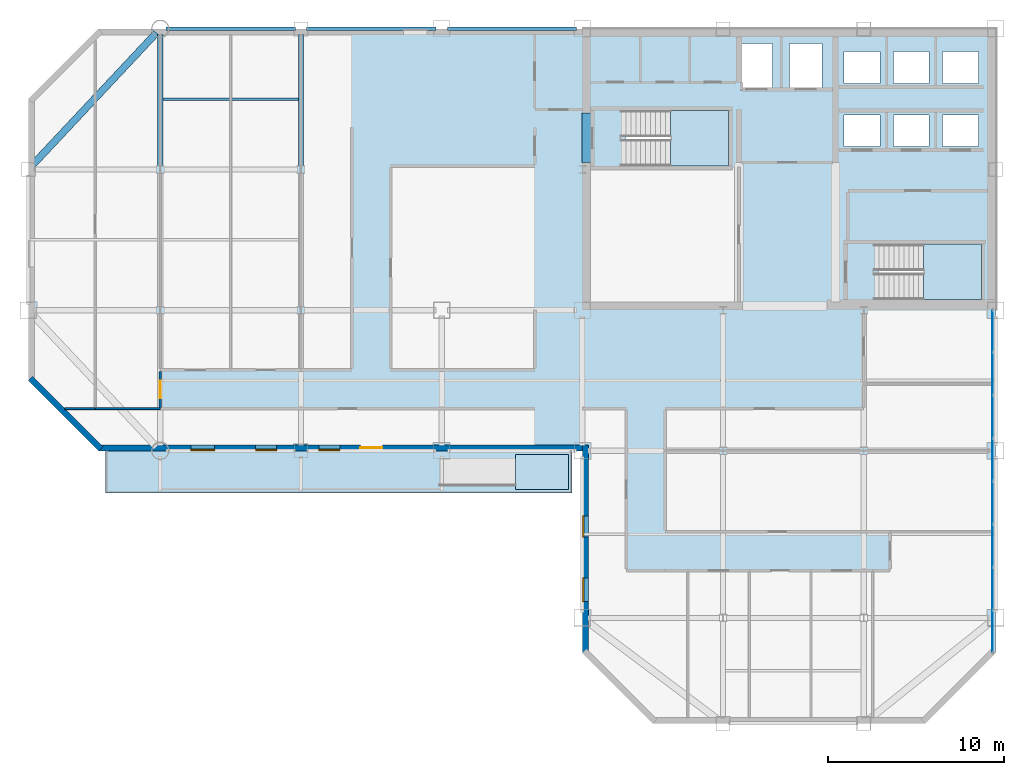
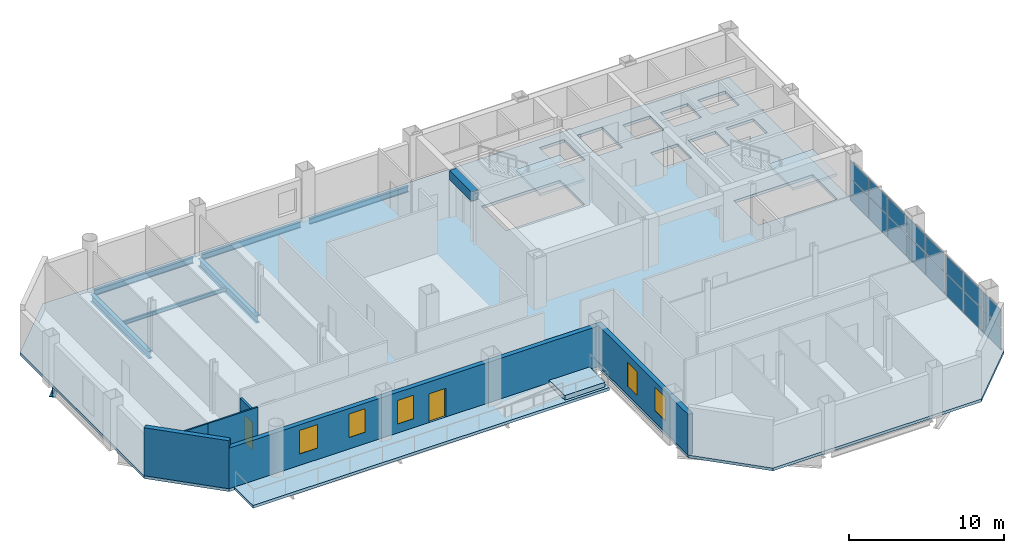
# One storey, part 7 of 12: 16 plates, 8 beams, 6 walls, 5 slabs, 5 windows, 2 doors, 7 openings, 4 elements without a shape of their own.
"""IFC4 building model written with IfcOpenShell, lengths in metres."""

import ifcopenshell
import ifcopenshell.guid

model = None  # the IFC model being written
_history = None  # IfcOwnerHistory: only IFC2X3 demands one
_inside = {}  # id of a spatial element -> (the spatial element, [elements in it])
_under = {}  # id of a project, library or spatial element -> (it, [spatial elements below it])
_declared = {}  # id of a project -> (the project, [libraries it declares])
_typed = {}  # id of a type object -> (the type object, [elements of that type])
_made_of = {}  # id of a material, layer set ... -> (it, [elements and type objects made of it])


def new_model(schema):
    """Start an empty IFC model of exactly this schema.

    Asked for "IFC4X3", IfcOpenShell would pick the latest addendum, in which some entities
    have other attributes; the version numbers below select the first issue.
    IFC2X3 requires an IfcOwnerHistory on every rooted entity: one is made here for all.
    """
    global model, _history
    if schema == "IFC4X3":
        model = ifcopenshell.file(schema_version=(4, 3, 0, 0))
    else:
        model = ifcopenshell.file(schema=schema)
    _inside.clear()
    _under.clear()
    _declared.clear()
    _typed.clear()
    _made_of.clear()
    _history = None
    if model.schema == "IFC2X3":
        org = make("IfcOrganization", Name="unknown")
        user = make(
            "IfcPersonAndOrganization",
            ThePerson=make("IfcPerson", FamilyName="unknown"),
            TheOrganization=org,
        )
        app = make(
            "IfcApplication",
            ApplicationDeveloper=org,
            Version="unknown",
            ApplicationFullName="unknown",
            ApplicationIdentifier="unknown",
        )
        _history = make(
            "IfcOwnerHistory",
            OwningUser=user,
            OwningApplication=app,
            ChangeAction="ADDED",
            CreationDate=0,
        )
    return model


def make(cls, **values):
    """One entity of the class cls with the attributes given. An attribute that is None is left unset."""
    return model.create_entity(
        cls, **{name: value for name, value in values.items() if value is not None}
    )


def rooted(cls, **values):
    """An entity with a GlobalId (a new one), such as an element, a storey or a relation."""
    return make(cls, GlobalId=ifcopenshell.guid.new(), OwnerHistory=_history, **values)


def si_unit(unit_type, name, prefix=None):
    """IfcSIUnit, for example si_unit("LENGTHUNIT", "METRE", prefix="MILLI")."""
    return make("IfcSIUnit", UnitType=unit_type, Prefix=prefix, Name=name)


def assignment(units):
    """IfcUnitAssignment: the units of a project."""
    return None if units is None else make("IfcUnitAssignment", Units=units)


def point(xyz):
    """IfcCartesianPoint."""
    return None if xyz is None else make("IfcCartesianPoint", Coordinates=xyz)


def direction(xyz):
    """IfcDirection."""
    return None if xyz is None else make("IfcDirection", DirectionRatios=xyz)


def frame(location, z_axis=None, x_axis=None):
    """IfcAxis2Placement3D, a coordinate frame: its origin and axes. An axis left out is left unset."""
    return make(
        "IfcAxis2Placement3D",
        Location=point(location),
        Axis=direction(z_axis),
        RefDirection=direction(x_axis),
    )


def frame_2d(location, x_axis=None):
    """IfcAxis2Placement2D, a coordinate frame in the plane: its origin and x axis."""
    return make(
        "IfcAxis2Placement2D", Location=point(location), RefDirection=direction(x_axis)
    )


def origin():
    """The frame at (0, 0, 0) with its axes left unset."""
    return frame((0.0, 0.0, 0.0))


def origin_2d():
    """The frame at (0, 0) in the plane with its x axis left unset."""
    return frame_2d((0.0, 0.0))


def place(relative_to, where):
    """IfcLocalPlacement: puts the frame where relative to a parent placement (None: the world)."""
    return make(
        "IfcLocalPlacement", PlacementRelTo=relative_to, RelativePlacement=where
    )


def context(
    kind, dimensions, precision=None, world=None, true_north=None, identifier=None
):
    """IfcGeometricRepresentationContext, for example the 3D "Model" context."""
    return make(
        "IfcGeometricRepresentationContext",
        ContextIdentifier=identifier,
        ContextType=kind,
        CoordinateSpaceDimension=dimensions,
        Precision=precision,
        WorldCoordinateSystem=world,
        TrueNorth=true_north,
    )


def subcontext(parent, identifier, kind, view, scale=None):
    """IfcGeometricRepresentationSubContext, for example "Body" below "Model"."""
    return make(
        "IfcGeometricRepresentationSubContext",
        ContextIdentifier=identifier,
        ContextType=kind,
        ParentContext=parent,
        TargetScale=scale,
        TargetView=view,
    )


def project(units=None, contexts=None):
    """IfcProject with its units and contexts."""
    return rooted(
        "IfcProject",
        Name="project",
        RepresentationContexts=contexts,
        UnitsInContext=assignment(units),
    )


def spatial(cls, under=None, at=None, **own):
    """A site, building, storey or space (cls), placed at a placement, below another one or the project."""
    s = rooted(cls, ObjectPlacement=at, **own)
    if under is not None:
        _under.setdefault(under.id(), (under, []))[1].append(s)
    return s


def polyline(points):
    """IfcPolyline through the points."""
    return make("IfcPolyline", Points=[point(p) for p in points])


def profile(cls, at=None, kind="AREA", **sizes):
    """A parametric profile (cls). Its sizes go by their IFC names, for example OverallWidth=200.0."""
    return make(cls, ProfileType=kind, Position=at, **sizes)


def rectangle(**sizes):
    """IfcRectangleProfileDef."""
    return profile("IfcRectangleProfileDef", **sizes)


def i_section(**sizes):
    """IfcIShapeProfileDef."""
    return profile("IfcIShapeProfileDef", **sizes)


def outline(outer, holes=None, kind="AREA"):
    """IfcArbitraryClosedProfileDef: a profile drawn as a closed curve; with holes, ...WithVoids."""
    if holes is None:
        return make("IfcArbitraryClosedProfileDef", ProfileType=kind, OuterCurve=outer)
    return make(
        "IfcArbitraryProfileDefWithVoids",
        ProfileType=kind,
        OuterCurve=outer,
        InnerCurves=holes,
    )


def extrude(swept, where, along, depth):
    """IfcExtrudedAreaSolid: the profile swept, set in the frame where, extruded along a direction by depth."""
    return make(
        "IfcExtrudedAreaSolid",
        SweptArea=swept,
        Position=where,
        ExtrudedDirection=direction(along),
        Depth=depth,
    )


def shape(context_of_items, identifier, shape_type, items):
    """IfcShapeRepresentation: the items that make up one representation, for example the "Body"."""
    return make(
        "IfcShapeRepresentation",
        ContextOfItems=context_of_items,
        RepresentationIdentifier=identifier,
        RepresentationType=shape_type,
        Items=items,
    )


def material(Name=None, Category=None):
    """IfcMaterial."""
    return make("IfcMaterial", Name=Name, Category=Category)


def layer(
    of_material, thickness, ventilated=None, Name=None, Category=None, Priority=None
):
    """IfcMaterialLayer: one layer of a wall or slab, of a material (None: an air gap)."""
    return make(
        "IfcMaterialLayer",
        Material=of_material,
        LayerThickness=thickness,
        IsVentilated=ventilated,
        Name=Name,
        Category=Category,
        Priority=Priority,
    )


def layer_set(layers, Name=None):
    """IfcMaterialLayerSet."""
    return make("IfcMaterialLayerSet", MaterialLayers=layers, LayerSetName=Name)


def material_profile(
    of_material, cross_section, Name=None, Category=None, Priority=None
):
    """IfcMaterialProfile: a cross section and its material."""
    return make(
        "IfcMaterialProfile",
        Name=Name,
        Material=of_material,
        Profile=cross_section,
        Priority=Priority,
        Category=Category,
    )


def profile_set(profiles, Name=None, composite=None):
    """IfcMaterialProfileSet."""
    return make(
        "IfcMaterialProfileSet",
        Name=Name,
        MaterialProfiles=profiles,
        CompositeProfile=composite,
    )


def made_of(thing, what):
    """Note that an element or type object is made of a material, layer set ...; save() writes the relation."""
    if what is not None:
        _made_of.setdefault(what.id(), (what, []))[1].append(thing)
    return thing


def type_object(cls, material=None, **own):
    """A type object (cls), such as IfcWallType, which elements share."""
    return made_of(rooted(cls, **own), material)


def element(
    cls,
    number,
    at=None,
    inside=None,
    cuts=None,
    type_object=None,
    material=None,
    context=None,
    identifier="Body",
    shape_type=None,
    held_by="IfcProductDefinitionShape",
    body=None,
    shapes=None,
    **own,
):
    """One element of the class cls, such as IfcWall. Its Tag is "e" and its number.

    at: its placement. inside: the storey or other place that contains it. cuts: it is an
    opening in that element (IfcRelVoidsElement). A single representation is given by context,
    identifier, shape_type and body (its items); several are given by shapes. held_by: the class
    of the entity that holds the representations. save() writes the other relations.
    """
    e = rooted(cls, Tag="e%d" % number, ObjectPlacement=at, **own)
    if body is not None:
        shapes = [shape(context, identifier, shape_type, body)]
    if shapes is not None:
        e.Representation = make(held_by, Representations=shapes)
    if inside is not None:
        _inside.setdefault(inside.id(), (inside, []))[1].append(e)
    if cuts is not None:
        rooted(
            "IfcRelVoidsElement", RelatingBuildingElement=cuts, RelatedOpeningElement=e
        )
    if type_object is not None:
        _typed.setdefault(type_object.id(), (type_object, []))[1].append(e)
    return made_of(e, material)


def fill(opening, filler):
    """IfcRelFillsElement: the door or window that sits in an opening."""
    return rooted(
        "IfcRelFillsElement",
        RelatingOpeningElement=opening,
        RelatedBuildingElement=filler,
    )


def aggregate(whole, parts):
    """IfcRelAggregates: a whole, such as a stair, and the parts it consists of."""
    return rooted("IfcRelAggregates", RelatingObject=whole, RelatedObjects=parts)


def save(model, path):
    """Write the relations noted so far, then the file.

    IfcRelAggregates (storeys below a building ...), IfcRelContainedInSpatialStructure (elements
    in a storey), IfcRelDefinesByType, IfcRelAssociatesMaterial and IfcRelDeclares: one each for
    every whole, place, type object, material and project.
    """
    for whole, parts in _under.values():
        aggregate(whole, parts)
    for where, things in _inside.values():
        rooted(
            "IfcRelContainedInSpatialStructure",
            RelatedElements=things,
            RelatingStructure=where,
        )
    for kind, things in _typed.values():
        rooted("IfcRelDefinesByType", RelatedObjects=things, RelatingType=kind)
    for what, things in _made_of.values():
        rooted("IfcRelAssociatesMaterial", RelatedObjects=things, RelatingMaterial=what)
    for by, libraries in _declared.values():
        rooted("IfcRelDeclares", RelatingContext=by, RelatedDefinitions=libraries)
    model.write(path)


model = new_model("IFC4")

# Units and contexts
model_context = context("Model", 3, precision=1e-05, world=origin(), true_north=direction((0.0, 1.0)))
body_context = subcontext(model_context, "Body", "Model", "MODEL_VIEW")
ifc_project = project(units=[si_unit("LENGTHUNIT", "METRE"), si_unit("AREAUNIT", "SQUARE_METRE"), si_unit("VOLUMEUNIT", "CUBIC_METRE"), si_unit("PLANEANGLEUNIT", "RADIAN"), si_unit("MASSUNIT", "GRAM", prefix="KILO")], contexts=[model_context])

# Site, building, storey
site_placement = place(None, origin())
site = spatial("IfcSite", under=ifc_project, at=site_placement, CompositionType="ELEMENT")
building_placement = place(site_placement, origin())
building = spatial("IfcBuilding", under=site, at=building_placement, Name="Qianrong Seaharbour Tower", CompositionType="ELEMENT")
storey_placement = place(building_placement, frame((0.0, 0.0, 205.800048828125)))
storey = spatial("IfcBuildingStorey", under=building, at=storey_placement, Name="L49", CompositionType="ELEMENT", Elevation=205.800048828125)

# Beams
ifc_material_1 = material(Name="Structural steel SN490B", Category="steel")
ifc_material_profile_1 = material_profile(ifc_material_1, i_section(OverallWidth=0.300048828125, OverallDepth=0.587890625, WebThickness=0.011962890625, FlangeThickness=0.02001953125, FilletRadius=0.02392578125, at=origin_2d()), Name="H588x300x12x20")
ifc_profile_set_1 = profile_set([ifc_material_profile_1], Name="Structural steel SN490B")
beam_type_1 = type_object("IfcBeamType", Name="BM-G-588", PredefinedType="BEAM", material=ifc_profile_set_1)
for number, where, z_axis, x_axis, name in (
    (1, (16.5, 44.199951171875, -0.51904296875), (0.0, 1.0, 0.0), (-1.0, 0.0, 0.0), "L49 Primary Girder G3 GG-GH"),
    (2, (24.5, 44.199951171875, -0.51904296875), (0.0, 1.0, 0.0), (-1.0, 0.0, 0.0), "L49 Primary Girder G4 GG-GH"),
):
    element("IfcBeam", number, at=place(storey_placement, frame(where, z_axis=z_axis, x_axis=x_axis)), inside=storey, type_object=beam_type_1, Name=name, PredefinedType="BEAM", context=body_context, shape_type="SweptSolid", body=[
        extrude(i_section(OverallWidth=0.300048828125, OverallDepth=0.587890625, WebThickness=0.011962890625, FlangeThickness=0.02001953125, FilletRadius=0.02392578125, at=origin_2d()), origin(), (0.0, 0.0, 1.0), 7.47998046875),
    ])
ifc_material_2 = material(Name="Structural steel SN400B", Category="steel")
ifc_material_profile_2 = material_profile(ifc_material_2, i_section(OverallWidth=0.14990234375, OverallDepth=0.300048828125, WebThickness=0.006591796875, FlangeThickness=0.009033203125, FilletRadius=0.012939453125, at=origin_2d()), Name="H300x150x6.5x9")
ifc_profile_set_2 = profile_set([ifc_material_profile_2], Name="Structural steel SN400B")
beam_type_2 = type_object("IfcBeamType", Name="BM-J-300", PredefinedType="JOIST", material=ifc_profile_set_2)
beam_1_placement = place(storey_placement, frame((16.64990234375, 48.0, -0.375), z_axis=(1.0, 0.0, 0.0), x_axis=(0.0, 1.0, 0.0)))
element("IfcBeam", 3, at=beam_1_placement, inside=storey, type_object=beam_type_2, Name="L49 Composite Floor Joist G3-G4/GG-GH", PredefinedType="JOIST", context=body_context, shape_type="SweptSolid", body=[
    extrude(i_section(OverallWidth=0.14990234375, OverallDepth=0.300048828125, WebThickness=0.006591796875, FlangeThickness=0.009033203125, FilletRadius=0.012939453125, at=origin_2d()), origin(), (0.0, 0.0, 1.0), 7.7001953125),
])
ifc_material_3 = material(Name="Concrete C60/75", Category="concrete")
ifc_material_profile_3 = material_profile(ifc_material_3, rectangle(XDim=0.5, YDim=0.75, at=origin_2d()), Name="RC500x750")
ifc_profile_set_3 = profile_set([ifc_material_profile_3], Name="Concrete C60/75")
beam_type_3 = type_object("IfcBeamType", Name="BM-LINTEL-750", PredefinedType="LINTEL", material=ifc_profile_set_3)
beam_2_placement = place(storey_placement, frame((40.72998046875, 44.39990234375, 3.39990234375), z_axis=(0.0, 1.0, 0.0), x_axis=(-1.0, 0.0, 0.0)))
element("IfcBeam", 4, at=beam_2_placement, inside=storey, type_object=beam_type_3, Name="L49 Core Coupling Lintel Beam West", PredefinedType="LINTEL", context=body_context, shape_type="SweptSolid", body=[
    extrude(rectangle(XDim=0.5, YDim=0.75, at=origin_2d()), origin(), (0.0, 0.0, 1.0), 2.800048828125),
])
ifc_material_profile_4 = material_profile(ifc_material_2, i_section(OverallWidth=0.199951171875, OverallDepth=0.449951171875, WebThickness=0.009033203125, FlangeThickness=0.013916015625, FilletRadius=0.01806640625, at=origin_2d()), Name="H450x200x9x14")
ifc_profile_set_4 = profile_set([ifc_material_profile_4], Name="Structural steel SN400B")
beam_type_4 = type_object("IfcBeamType", Name="BM-SP-450", PredefinedType="SPANDREL", material=ifc_profile_set_4)
for number, where, z_axis, x_axis, name in (
    (5, (16.820068359375, 52.0, -0.449951171875), (1.0, 0.0, 0.0), (0.0, 1.0, 0.0), "L49 Spandrel Girder GH G3-G4"),
    (6, (24.820068359375, 52.0, -0.449951171875), (1.0, 0.0, 0.0), (0.0, 1.0, 0.0), "L49 Spandrel Girder GH G4-G5"),
    (7, (32.820068359375, 52.0, -0.449951171875), (1.0, 0.0, 0.0), (0.0, 1.0, 0.0), "L49 Spandrel Girder GH G5-G6"),
):
    element("IfcBeam", number, at=place(storey_placement, frame(where, z_axis=z_axis, x_axis=x_axis)), inside=storey, type_object=beam_type_4, Name=name, PredefinedType="SPANDREL", context=body_context, shape_type="SweptSolid", body=[
        extrude(i_section(OverallWidth=0.199951171875, OverallDepth=0.449951171875, WebThickness=0.009033203125, FlangeThickness=0.013916015625, FilletRadius=0.01806640625, at=origin_2d()), origin(), (0.0, 0.0, 1.0), 7.35986328125),
    ])
ifc_material_profile_5 = material_profile(ifc_material_1, i_section(OverallWidth=0.39990234375, OverallDepth=1.10009765625, WebThickness=0.02001953125, FlangeThickness=0.035888671875, at=origin_2d()), Name="BH1100x400x20x36")
ifc_profile_set_5 = profile_set([ifc_material_profile_5], Name="Structural steel SN490B")
beam_type_5 = type_object("IfcBeamType", Name="BM-TG-1100", PredefinedType="BEAM", material=ifc_profile_set_5)
beam_3_placement = place(storey_placement, frame((16.28125, 51.7666015625, -0.775146484375), z_axis=(-0.683947420573, -0.729531305628, 0.0), x_axis=(0.729531305628, -0.683947420573, 0.0)))
element("IfcBeam", 8, at=beam_3_placement, inside=storey, type_object=beam_type_5, Name="L49 Chamfer Corner Spandrel Girder G2/GH", PredefinedType="BEAM", context=body_context, shape_type="SweptSolid", body=[
    extrude(i_section(OverallWidth=0.39990234375, OverallDepth=1.10009765625, WebThickness=0.02001953125, FlangeThickness=0.035888671875, at=origin_2d()), origin(), (0.0, 0.0, 1.0), 10.326171875),
])

# Curtain wall, plates
ifc_material_4 = material(Name="Anodised aluminium 6063-T6 and laminated low-e glass", Category="aluminium")
ifc_layer_1 = layer(ifc_material_4, 0.195068359375)
ifc_layer_set_1 = layer_set([ifc_layer_1], Name="Anodised aluminium 6063-T6 and laminated low-e glass")
curtain_wall_type = type_object("IfcCurtainWallType", Name="CW-SYS-3", PredefinedType="NOTDEFINED", material=ifc_layer_set_1)
curtain_wall_placement = place(storey_placement, origin())
curtain_wall = element("IfcCurtainWall", 9, at=curtain_wall_placement, inside=storey, type_object=curtain_wall_type, Name="L49 Sky-Garden Wintergarden Curtain Wall EAST_WING", PredefinedType="NOTDEFINED")
ifc_material_5 = material(Name="Laminated solar-control low-e glass", Category="glass")
ifc_layer_2 = layer(ifc_material_5, 0.031982421875)
ifc_layer_set_2 = layer_set([ifc_layer_2], Name="Laminated solar-control low-e glass")
plate_type = type_object("IfcPlateType", Name="CW-PAN-VISION-32", PredefinedType="CURTAIN_PANEL", material=ifc_layer_set_2)
plate_1_placement = place(storey_placement, frame((63.830078125, 34.810546875, 0.06494140625), z_axis=(0.0, 0.0, 1.0), x_axis=(0.0, -1.0, 0.0)))
plate_1 = element("IfcPlate", 10, at=plate_1_placement, type_object=plate_type, Name="CW-3 panel 1.1", PredefinedType="CURTAIN_PANEL", context=body_context, shape_type="SweptSolid", body=[
    extrude(rectangle(XDim=2.3388671875, YDim=0.031982421875, at=origin_2d()), origin(), (0.0, 0.0, 1.0), 1.709228515625),
])
plate_2_placement = place(storey_placement, frame((63.830078125, 34.810546875, 1.83935546875), z_axis=(0.0, 0.0, 1.0), x_axis=(0.0, -1.0, 0.0)))
plate_2 = element("IfcPlate", 11, at=plate_2_placement, type_object=plate_type, Name="CW-3 panel 1.2", PredefinedType="CURTAIN_PANEL", context=body_context, shape_type="SweptSolid", body=[
    extrude(rectangle(XDim=2.3388671875, YDim=0.031982421875, at=origin_2d()), origin(), (0.0, 0.0, 1.0), 1.380615234375),
])
plate_3_placement = place(storey_placement, frame((63.830078125, 32.38427734375, 0.06494140625), z_axis=(0.0, 0.0, 1.0), x_axis=(0.0, -1.0, 0.0)))
plate_3 = element("IfcPlate", 12, at=plate_3_placement, type_object=plate_type, Name="CW-3 panel 2.1", PredefinedType="CURTAIN_PANEL", context=body_context, shape_type="SweptSolid", body=[
    extrude(rectangle(XDim=2.373779296875, YDim=0.031982421875, at=origin_2d()), origin(), (0.0, 0.0, 1.0), 1.709228515625),
])
plate_4_placement = place(storey_placement, frame((63.830078125, 32.38427734375, 1.83935546875), z_axis=(0.0, 0.0, 1.0), x_axis=(0.0, -1.0, 0.0)))
plate_4 = element("IfcPlate", 13, at=plate_4_placement, type_object=plate_type, Name="CW-3 panel 2.2", PredefinedType="CURTAIN_PANEL", context=body_context, shape_type="SweptSolid", body=[
    extrude(rectangle(XDim=2.373779296875, YDim=0.031982421875, at=origin_2d()), origin(), (0.0, 0.0, 1.0), 1.380615234375),
])
plate_5_placement = place(storey_placement, frame((63.830078125, 29.940673828125, 0.06494140625), z_axis=(0.0, 0.0, 1.0), x_axis=(0.0, -1.0, 0.0)))
plate_5 = element("IfcPlate", 14, at=plate_5_placement, type_object=plate_type, Name="CW-3 panel 3.1", PredefinedType="CURTAIN_PANEL", context=body_context, shape_type="SweptSolid", body=[
    extrude(rectangle(XDim=2.373779296875, YDim=0.031982421875, at=origin_2d()), origin(), (0.0, 0.0, 1.0), 1.709228515625),
])
plate_6_placement = place(storey_placement, frame((63.830078125, 29.940673828125, 1.83935546875), z_axis=(0.0, 0.0, 1.0), x_axis=(0.0, -1.0, 0.0)))
plate_6 = element("IfcPlate", 15, at=plate_6_placement, type_object=plate_type, Name="CW-3 panel 3.2", PredefinedType="CURTAIN_PANEL", context=body_context, shape_type="SweptSolid", body=[
    extrude(rectangle(XDim=2.373779296875, YDim=0.031982421875, at=origin_2d()), origin(), (0.0, 0.0, 1.0), 1.380615234375),
])
plate_7_placement = place(storey_placement, frame((63.830078125, 27.496826171875, 0.06494140625), z_axis=(0.0, 0.0, 1.0), x_axis=(0.0, -1.0, 0.0)))
plate_7 = element("IfcPlate", 16, at=plate_7_placement, type_object=plate_type, Name="CW-3 panel 4.1", PredefinedType="CURTAIN_PANEL", context=body_context, shape_type="SweptSolid", body=[
    extrude(rectangle(XDim=2.373779296875, YDim=0.031982421875, at=origin_2d()), origin(), (0.0, 0.0, 1.0), 1.709228515625),
])
plate_8_placement = place(storey_placement, frame((63.830078125, 27.496826171875, 1.83935546875), z_axis=(0.0, 0.0, 1.0), x_axis=(0.0, -1.0, 0.0)))
plate_8 = element("IfcPlate", 17, at=plate_8_placement, type_object=plate_type, Name="CW-3 panel 4.2", PredefinedType="CURTAIN_PANEL", context=body_context, shape_type="SweptSolid", body=[
    extrude(rectangle(XDim=2.373779296875, YDim=0.031982421875, at=origin_2d()), origin(), (0.0, 0.0, 1.0), 1.380615234375),
])
plate_9_placement = place(storey_placement, frame((63.830078125, 25.05322265625, 0.06494140625), z_axis=(0.0, 0.0, 1.0), x_axis=(0.0, -1.0, 0.0)))
plate_9 = element("IfcPlate", 18, at=plate_9_placement, type_object=plate_type, Name="CW-3 panel 5.1", PredefinedType="CURTAIN_PANEL", context=body_context, shape_type="SweptSolid", body=[
    extrude(rectangle(XDim=2.373779296875, YDim=0.031982421875, at=origin_2d()), origin(), (0.0, 0.0, 1.0), 1.709228515625),
])
plate_10_placement = place(storey_placement, frame((63.830078125, 25.05322265625, 1.83935546875), z_axis=(0.0, 0.0, 1.0), x_axis=(0.0, -1.0, 0.0)))
plate_10 = element("IfcPlate", 19, at=plate_10_placement, type_object=plate_type, Name="CW-3 panel 5.2", PredefinedType="CURTAIN_PANEL", context=body_context, shape_type="SweptSolid", body=[
    extrude(rectangle(XDim=2.373779296875, YDim=0.031982421875, at=origin_2d()), origin(), (0.0, 0.0, 1.0), 1.380615234375),
])
plate_11_placement = place(storey_placement, frame((63.830078125, 22.609375, 0.06494140625), z_axis=(0.0, 0.0, 1.0), x_axis=(0.0, -1.0, 0.0)))
plate_11 = element("IfcPlate", 20, at=plate_11_placement, type_object=plate_type, Name="CW-3 panel 6.1", PredefinedType="CURTAIN_PANEL", context=body_context, shape_type="SweptSolid", body=[
    extrude(rectangle(XDim=2.373779296875, YDim=0.031982421875, at=origin_2d()), origin(), (0.0, 0.0, 1.0), 1.709228515625),
])
plate_12_placement = place(storey_placement, frame((63.830078125, 22.609375, 1.83935546875), z_axis=(0.0, 0.0, 1.0), x_axis=(0.0, -1.0, 0.0)))
plate_12 = element("IfcPlate", 21, at=plate_12_placement, type_object=plate_type, Name="CW-3 panel 6.2", PredefinedType="CURTAIN_PANEL", context=body_context, shape_type="SweptSolid", body=[
    extrude(rectangle(XDim=2.373779296875, YDim=0.031982421875, at=origin_2d()), origin(), (0.0, 0.0, 1.0), 1.380615234375),
])
plate_13_placement = place(storey_placement, frame((63.830078125, 20.16552734375, 0.06494140625), z_axis=(0.0, 0.0, 1.0), x_axis=(0.0, -1.0, 0.0)))
plate_13 = element("IfcPlate", 22, at=plate_13_placement, type_object=plate_type, Name="CW-3 panel 7.1", PredefinedType="CURTAIN_PANEL", context=body_context, shape_type="SweptSolid", body=[
    extrude(rectangle(XDim=2.373779296875, YDim=0.031982421875, at=origin_2d()), origin(), (0.0, 0.0, 1.0), 1.709228515625),
])
plate_14_placement = place(storey_placement, frame((63.830078125, 20.16552734375, 1.83935546875), z_axis=(0.0, 0.0, 1.0), x_axis=(0.0, -1.0, 0.0)))
plate_14 = element("IfcPlate", 23, at=plate_14_placement, type_object=plate_type, Name="CW-3 panel 7.2", PredefinedType="CURTAIN_PANEL", context=body_context, shape_type="SweptSolid", body=[
    extrude(rectangle(XDim=2.373779296875, YDim=0.031982421875, at=origin_2d()), origin(), (0.0, 0.0, 1.0), 1.380615234375),
])
plate_15_placement = place(storey_placement, frame((63.830078125, 17.7392578125, 0.06494140625), z_axis=(0.0, 0.0, 1.0), x_axis=(0.0, -1.0, 0.0)))
plate_15 = element("IfcPlate", 24, at=plate_15_placement, type_object=plate_type, Name="CW-3 panel 8.1", PredefinedType="CURTAIN_PANEL", context=body_context, shape_type="SweptSolid", body=[
    extrude(rectangle(XDim=2.3388671875, YDim=0.031982421875, at=origin_2d()), origin(), (0.0, 0.0, 1.0), 1.709228515625),
])
plate_16_placement = place(storey_placement, frame((63.830078125, 17.7392578125, 1.83935546875), z_axis=(0.0, 0.0, 1.0), x_axis=(0.0, -1.0, 0.0)))
plate_16 = element("IfcPlate", 25, at=plate_16_placement, type_object=plate_type, Name="CW-3 panel 8.2", PredefinedType="CURTAIN_PANEL", context=body_context, shape_type="SweptSolid", body=[
    extrude(rectangle(XDim=2.3388671875, YDim=0.031982421875, at=origin_2d()), origin(), (0.0, 0.0, 1.0), 1.380615234375),
])
aggregate(curtain_wall, [plate_1, plate_2, plate_3, plate_4, plate_5, plate_6, plate_7, plate_8, plate_9, plate_10, plate_11, plate_12, plate_13, plate_14, plate_15, plate_16])

# Ramp, slab
ifc_material_6 = material(Name="White architectural precast concrete C45/55", Category="concrete")
ramp_type = type_object("IfcRampType", Name="RAMP-RIBBON-GARDEN", PredefinedType="STRAIGHT_RUN_RAMP", material=ifc_material_6)
ramp_placement = place(storey_placement, origin())
ramp = element("IfcRamp", 26, at=ramp_placement, inside=storey, type_object=ramp_type, Name="L49 Harbourfront Garden Ribbon Ramp", PredefinedType="STRAIGHT_RUN_RAMP")
ifc_layer_3 = layer(ifc_material_6, 0.360107421875)
ifc_layer_set_3 = layer_set([ifc_layer_3], Name="White architectural precast concrete C45/55")
slab_type_1 = type_object("IfcSlabType", Name="SLAB-RAMP-LANDING-220", PredefinedType="LANDING", material=ifc_layer_set_3)
slab_1_placement = place(storey_placement, origin())
slab_1 = element("IfcSlab", 27, at=slab_1_placement, type_object=slab_type_1, Name="L49 Harbourfront Ribbon Raised Garden Landing", PredefinedType="LANDING", context=body_context, shape_type="SweptSolid", body=[
    extrude(outline(polyline([(36.699951171875, 25.800048828125), (39.699951171875, 25.800048828125), (39.699951171875, 27.800048828125), (36.699951171875, 27.800048828125), (36.699951171875, 25.800048828125)])), origin(), (0.0, 0.0, 1.0), 0.35986328125),
])
aggregate(ramp, [slab_1])

# Slab
ifc_layer_4 = layer(ifc_material_6, 0.22509765625)
ifc_layer_set_4 = layer_set([ifc_layer_4], Name="White architectural precast concrete C45/55")
slab_type_2 = type_object("IfcSlabType", Name="SLAB-RIBBON-225", PredefinedType="FLOOR", material=ifc_layer_set_4)
slab_2_placement = place(storey_placement, frame((0.0, 0.0, -0.22509765625)))
element("IfcSlab", 28, at=slab_2_placement, inside=storey, type_object=slab_type_2, Name="L49 Harbourfront White Precast Ribbon Gallery Slab", PredefinedType="FLOOR", context=body_context, shape_type="SweptSolid", body=[
    extrude(outline(polyline([(13.39990234375, 25.60009765625), (39.89990234375, 25.60009765625), (39.89990234375, 28.0), (13.39990234375, 28.0), (13.39990234375, 25.60009765625)])), origin(), (0.0, 0.0, 1.0), 0.22509765625),
])

# Stair, slab
ifc_material_7 = material(Name="Concrete C50/60", Category="concrete")
stair_type = type_object("IfcStairType", Name="STAIR-DOGLEG-1500-R22", PredefinedType="HALF_TURN_STAIR", material=ifc_material_7)
stair_1_placement = place(storey_placement, origin())
stair_1 = element("IfcStair", 29, at=stair_1_placement, inside=storey, type_object=stair_type, Name="L49 Protected Escape Stair ST-1", PredefinedType="HALF_TURN_STAIR")
ifc_layer_5 = layer(ifc_material_7, 0.199951171875)
ifc_layer_set_5 = layer_set([ifc_layer_5], Name="Concrete C50/60")
slab_type_3 = type_object("IfcSlabType", Name="SLAB-STAIR-LANDING-200", PredefinedType="LANDING", material=ifc_layer_set_5)
slab_3_placement = place(storey_placement, frame((0.0, 0.0, 1.800048828125)))
slab_3 = element("IfcSlab", 30, at=slab_3_placement, type_object=slab_type_3, Name="ST-1 landing 1", PredefinedType="LANDING", context=body_context, shape_type="SweptSolid", body=[
    extrude(outline(polyline([(45.5, 44.199951171875), (48.800048828125, 44.199951171875), (48.800048828125, 47.35009765625), (45.5, 47.35009765625), (45.5, 44.199951171875)])), origin(), (0.0, 0.0, 1.0), 0.199951171875),
])
aggregate(stair_1, [slab_3])

stair_2_placement = place(storey_placement, origin())
stair_2 = element("IfcStair", 31, at=stair_2_placement, inside=storey, type_object=stair_type, Name="L49 Protected Escape Stair ST-2", PredefinedType="HALF_TURN_STAIR")
slab_4_placement = place(storey_placement, frame((0.0, 0.0, 1.800048828125)))
slab_4 = element("IfcSlab", 32, at=slab_4_placement, type_object=slab_type_3, Name="ST-2 landing 1", PredefinedType="LANDING", context=body_context, shape_type="SweptSolid", body=[
    extrude(outline(polyline([(59.89990234375, 36.60009765625), (63.199951171875, 36.60009765625), (63.199951171875, 39.75), (59.89990234375, 39.75), (59.89990234375, 36.60009765625)])), origin(), (0.0, 0.0, 1.0), 0.199951171875),
])
aggregate(stair_2, [slab_4])

# Slab
ifc_layer_6 = layer(ifc_material_7, 0.22509765625)
ifc_layer_set_6 = layer_set([ifc_layer_6], Name="Concrete C50/60")
slab_type_4 = type_object("IfcSlabType", Name="SLAB-Z3-225", PredefinedType="FLOOR", material=ifc_layer_set_6)
slab_5_placement = place(storey_placement, frame((0.0, 0.0, -0.22509765625)))
element("IfcSlab", 33, at=slab_5_placement, inside=storey, type_object=slab_type_4, Name="L49 Structural Floor Slab", PredefinedType="FLOOR", context=body_context, shape_type="SweptSolid", body=[
    extrude(outline(polyline([(44.5, 12.5), (60.0, 12.5), (64.0, 16.5), (64.0, 52.0), (13.0, 52.0), (9.0, 48.0), (9.0, 32.0), (13.0, 28.0), (40.5, 28.0), (40.5, 16.5), (44.5, 12.5)]), holes=[polyline([(42.93994140625, 44.199951171875), (42.93994140625, 47.35009765625), (48.800048828125, 47.35009765625), (48.800048828125, 44.199951171875), (42.93994140625, 44.199951171875)]), polyline([(57.340087890625, 36.60009765625), (57.340087890625, 39.75), (63.199951171875, 39.75), (63.199951171875, 36.60009765625), (57.340087890625, 36.60009765625)]), polyline([(49.47998046875, 48.530029296875), (49.47998046875, 51.169921875), (51.320068359375, 51.169921875), (51.320068359375, 48.530029296875), (49.47998046875, 48.530029296875)]), polyline([(52.280029296875, 48.530029296875), (52.280029296875, 51.169921875), (54.1201171875, 51.169921875), (54.1201171875, 48.530029296875), (52.280029296875, 48.530029296875)]), polyline([(55.3798828125, 45.300048828125), (55.3798828125, 47.10009765625), (57.419921875, 47.10009765625), (57.419921875, 45.300048828125), (55.3798828125, 45.300048828125)]), polyline([(58.179931640625, 45.300048828125), (58.179931640625, 47.10009765625), (60.219970703125, 47.10009765625), (60.219970703125, 45.300048828125), (58.179931640625, 45.300048828125)]), polyline([(60.97998046875, 45.300048828125), (60.97998046875, 47.10009765625), (63.02001953125, 47.10009765625), (63.02001953125, 45.300048828125), (60.97998046875, 45.300048828125)]), polyline([(55.3798828125, 48.89990234375), (55.3798828125, 50.699951171875), (57.419921875, 50.699951171875), (57.419921875, 48.89990234375), (55.3798828125, 48.89990234375)]), polyline([(58.179931640625, 48.89990234375), (58.179931640625, 50.699951171875), (60.219970703125, 50.699951171875), (60.219970703125, 48.89990234375), (58.179931640625, 48.89990234375)]), polyline([(60.97998046875, 48.89990234375), (60.97998046875, 50.699951171875), (63.02001953125, 50.699951171875), (63.02001953125, 48.89990234375), (60.97998046875, 48.89990234375)])]), origin(), (0.0, 0.0, 1.0), 0.22509765625),
])

# Wall, opening, door
ifc_material_8 = material(Name="Fire-rated acoustic gypsum board partition")
ifc_layer_7 = layer(ifc_material_8, 0.1650390625)
ifc_layer_set_7 = layer_set([ifc_layer_7], Name="Fire-rated acoustic gypsum board partition")
wall_type_1 = type_object("IfcWallType", Name="WALL-CORR-PART-165", PredefinedType="PARTITIONING", material=ifc_layer_set_7)
wall_1_placement = place(storey_placement, frame((16.5, 30.474609375, 0.0), z_axis=(0.0, 0.0, 1.0), x_axis=(0.0, 1.0, 0.0)))
wall_1 = element("IfcWall", 34, at=wall_1_placement, inside=storey, type_object=wall_type_1, Name="L49 Interior Partition Wall 014", PredefinedType="PARTITIONING", context=body_context, shape_type="SweptSolid", body=[
    extrude(rectangle(XDim=2.05078125, YDim=0.1650390625, at=frame_2d((1.025390625, 0.0))), origin(), (0.0, 0.0, 1.0), 3.178955078125),
])
opening_1_placement = place(wall_1_placement, frame((0.525390625, 0.0, 0.0)))
opening_1 = element("IfcOpeningElement", 35, at=opening_1_placement, cuts=wall_1, Name="Opening DO-01", PredefinedType="OPENING", context=body_context, shape_type="SweptSolid", body=[
    extrude(rectangle(XDim=1.0, YDim=2.14990234375, at=frame_2d((0.5, 1.074951171875))), frame((0.0, 0.092529296875, 0.0), z_axis=(0.0, -1.0, 0.0), x_axis=(1.0, 0.0, 0.0)), (0.0, 0.0, 1.0), 0.18505859375),
])
ifc_material_9 = material(Name="Acoustic timber and galvanized steel fire door assembly", Category="steel")
door_type_1 = type_object("IfcDoorType", Name="DOOR-OFFICE-1000x2150", OperationType="NOTDEFINED", PredefinedType="DOOR", material=ifc_material_9)
door_1_placement = place(opening_1_placement, origin())
door_1 = element("IfcDoor", 36, at=door_1_placement, inside=storey, type_object=door_type_1, Name="L49 Focus Room 2 Door", OperationType="SINGLE_SWING_LEFT", OverallHeight=2.14990234375, OverallWidth=1.0, PredefinedType="DOOR", context=body_context, shape_type="SweptSolid", body=[
    extrude(rectangle(XDim=1.0, YDim=2.14990234375, at=frame_2d((0.5, 1.074951171875))), frame((0.0, 0.02490234375, 0.0), z_axis=(0.0, -1.0, 0.0), x_axis=(1.0, 0.0, 0.0)), (0.0, 0.0, 1.0), 0.050048828125),
])
fill(opening_1, door_1)

# Walls
ifc_material_10 = material(Name="Demountable aluminium-framed acoustic office partition", Category="aluminium")
ifc_layer_8 = layer(ifc_material_10, 0.110107421875)
ifc_layer_set_8 = layer_set([ifc_layer_8], Name="Demountable aluminium-framed acoustic office partition")
wall_type_2 = type_object("IfcWallType", Name="WALL-DEMOUNT-110", PredefinedType="MOVABLE", material=ifc_layer_set_8)
wall_2_placement = place(storey_placement, frame((12.800048828125, 30.39990234375, 0.0), z_axis=(0.0, 0.0, 1.0), x_axis=(-1.0, 0.0, 0.0)))
element("IfcWall", 37, at=wall_2_placement, inside=storey, type_object=wall_type_2, Name="L49 Interior Partition Wall 039", PredefinedType="MOVABLE", context=body_context, shape_type="SweptSolid", body=[
    extrude(rectangle(XDim=1.73046875, YDim=0.110107421875, at=frame_2d((0.865234375, 0.0))), origin(), (0.0, 0.0, 1.0), 3.77490234375),
])
wall_3_placement = place(storey_placement, frame((16.5, 30.39990234375, 0.0), z_axis=(0.0, 0.0, 1.0), x_axis=(-1.0, 0.0, 0.0)))
element("IfcWall", 38, at=wall_3_placement, inside=storey, type_object=wall_type_2, Name="L49 Interior Partition Wall 041", PredefinedType="MOVABLE", context=body_context, shape_type="SweptSolid", body=[
    extrude(rectangle(XDim=3.699951171875, YDim=0.110107421875, at=frame_2d((1.85009765625, 0.0))), origin(), (0.0, 0.0, 1.0), 3.77490234375),
])

# Wall, openings, windows
ifc_material_11 = material(Name="Unitised buff brick on Precast concrete C45/55", Category="masonry")
ifc_layer_9 = layer(ifc_material_11, 0.340087890625)
ifc_layer_set_9 = layer_set([ifc_layer_9], Name="Unitised buff brick on Precast concrete C45/55")
wall_type_3 = type_object("IfcWallType", Name="WALL-EXT-BRICK-BUFF-340", PredefinedType="SOLIDWALL", material=ifc_layer_set_9)
wall_4_placement = place(storey_placement, frame((40.669921875, 16.5, 0.0), z_axis=(0.0, 0.0, 1.0), x_axis=(0.0, 1.0, 0.0)))
wall_4 = element("IfcWall", 39, at=wall_4_placement, inside=storey, type_object=wall_type_3, Name="L49 Exterior Masonry Facade Wall REENTRANT_WEST", PredefinedType="SOLIDWALL", context=body_context, shape_type="SweptSolid", body=[
    extrude(rectangle(XDim=11.840087890625, YDim=0.340087890625, at=frame_2d((5.919921875, 0.0))), origin(), (0.0, 0.0, 1.0), 3.18701171875),
])
opening_2_placement = place(wall_4_placement, frame((2.925048828125, 0.0, 0.89990234375)))
opening_2 = element("IfcOpeningElement", 40, at=opening_2_placement, cuts=wall_4, Name="Opening WN-02", PredefinedType="OPENING", context=body_context, shape_type="SweptSolid", body=[
    extrude(rectangle(XDim=1.35009765625, YDim=1.85009765625, at=frame_2d((0.675048828125, 0.925048828125))), frame((0.0, 0.18017578125, 0.0), z_axis=(0.0, -1.0, 0.0), x_axis=(1.0, 0.0, 0.0)), (0.0, 0.0, 1.0), 0.360107421875),
])
opening_3_placement = place(wall_4_placement, frame((6.60009765625, 0.0, 0.699951171875)))
opening_3 = element("IfcOpeningElement", 41, at=opening_3_placement, cuts=wall_4, Name="Opening WN-01", PredefinedType="OPENING", context=body_context, shape_type="SweptSolid", body=[
    extrude(rectangle(XDim=1.199951171875, YDim=1.85009765625, at=frame_2d((0.60009765625, 0.925048828125))), frame((0.0, 0.18017578125, 0.0), z_axis=(0.0, -1.0, 0.0), x_axis=(1.0, 0.0, 0.0)), (0.0, 0.0, 1.0), 0.360107421875),
])
ifc_material_12 = material(Name="Insulated low-e double glazing in thermally broken aluminium 6063-T6 frame", Category="aluminium")
window_type_1 = type_object("IfcWindowType", Name="WIN-PUNCH-1200x1850", PartitioningType="DOUBLE_PANEL_VERTICAL", PredefinedType="WINDOW", material=ifc_material_12)
window_1_placement = place(opening_3_placement, origin())
window_1 = element("IfcWindow", 42, at=window_1_placement, inside=storey, type_object=window_type_1, Name="L49 Deep-Set Punched Window 00.02", OverallHeight=1.85009765625, OverallWidth=1.199951171875, PartitioningType="DOUBLE_PANEL_VERTICAL", PredefinedType="WINDOW", context=body_context, shape_type="SweptSolid", body=[
    extrude(rectangle(XDim=1.199951171875, YDim=1.85009765625, at=frame_2d((0.60009765625, 0.925048828125))), frame((0.0, 0.150146484375, 0.0), z_axis=(0.0, -1.0, 0.0), x_axis=(1.0, 0.0, 0.0)), (0.0, 0.0, 1.0), 0.06005859375),
])
fill(opening_3, window_1)
window_type_2 = type_object("IfcWindowType", Name="WIN-PUNCH-1350x1850", PartitioningType="DOUBLE_PANEL_VERTICAL", PredefinedType="WINDOW", material=ifc_material_12)
window_2_placement = place(opening_2_placement, origin())
window_2 = element("IfcWindow", 43, at=window_2_placement, inside=storey, type_object=window_type_2, Name="L49 Deep-Set Punched Window 00.01", OverallHeight=1.85009765625, OverallWidth=1.35009765625, PartitioningType="DOUBLE_PANEL_VERTICAL", PredefinedType="WINDOW", context=body_context, shape_type="SweptSolid", body=[
    extrude(rectangle(XDim=1.35009765625, YDim=1.85009765625, at=frame_2d((0.675048828125, 0.925048828125))), frame((0.0, 0.150146484375, 0.0), z_axis=(0.0, -1.0, 0.0), x_axis=(1.0, 0.0, 0.0)), (0.0, 0.0, 1.0), 0.06005859375),
])
fill(opening_2, window_2)

# Wall, openings, door, windows
wall_5_placement = place(storey_placement, frame((40.52001953125, 28.169921875, 0.0), z_axis=(0.0, 0.0, 1.0), x_axis=(-1.0, 0.0, 0.0)))
wall_5 = element("IfcWall", 44, at=wall_5_placement, inside=storey, type_object=wall_type_3, Name="L49 Exterior Masonry Facade Wall HARBOUR_RIBBON", PredefinedType="SOLIDWALL", context=body_context, shape_type="SweptSolid", body=[
    extrude(rectangle(XDim=27.52001953125, YDim=0.340087890625, at=frame_2d((13.760009765625, 0.0))), origin(), (0.0, 0.0, 1.0), 3.18701171875),
])
opening_4_placement = place(wall_5_placement, frame((13.800048828125, 0.0, 0.699951171875)))
opening_4 = element("IfcOpeningElement", 45, at=opening_4_placement, cuts=wall_5, Name="Opening WN-01", PredefinedType="OPENING", context=body_context, shape_type="SweptSolid", body=[
    extrude(rectangle(XDim=1.199951171875, YDim=1.85009765625, at=frame_2d((0.60009765625, 0.925048828125))), frame((0.0, 0.18017578125, 0.0), z_axis=(0.0, -1.0, 0.0), x_axis=(1.0, 0.0, 0.0)), (0.0, 0.0, 1.0), 0.360107421875),
])
opening_5_placement = place(wall_5_placement, frame((17.39990234375, 0.0, 0.89990234375)))
opening_5 = element("IfcOpeningElement", 46, at=opening_5_placement, cuts=wall_5, Name="Opening WN-01", PredefinedType="OPENING", context=body_context, shape_type="SweptSolid", body=[
    extrude(rectangle(XDim=1.199951171875, YDim=1.85009765625, at=frame_2d((0.60009765625, 0.925048828125))), frame((0.0, 0.18017578125, 0.0), z_axis=(0.0, -1.0, 0.0), x_axis=(1.0, 0.0, 0.0)), (0.0, 0.0, 1.0), 0.360107421875),
])
opening_6_placement = place(wall_5_placement, frame((20.925048828125, 0.0, 0.89990234375)))
opening_6 = element("IfcOpeningElement", 47, at=opening_6_placement, cuts=wall_5, Name="Opening WN-02", PredefinedType="OPENING", context=body_context, shape_type="SweptSolid", body=[
    extrude(rectangle(XDim=1.35009765625, YDim=1.85009765625, at=frame_2d((0.675048828125, 0.925048828125))), frame((0.0, 0.18017578125, 0.0), z_axis=(0.0, -1.0, 0.0), x_axis=(1.0, 0.0, 0.0)), (0.0, 0.0, 1.0), 0.360107421875),
])
opening_7_placement = place(wall_5_placement, frame((11.39501953125, 0.0, 0.0)))
opening_7 = element("IfcOpeningElement", 48, at=opening_7_placement, cuts=wall_5, Name="Opening D-TER1", PredefinedType="OPENING", context=body_context, shape_type="SweptSolid", body=[
    extrude(rectangle(XDim=1.25, YDim=2.25, at=frame_2d((0.625, 1.125))), frame((0.0, 0.18017578125, 0.0), z_axis=(0.0, -1.0, 0.0), x_axis=(1.0, 0.0, 0.0)), (0.0, 0.0, 1.0), 0.360107421875),
])
ifc_material_13 = material(Name="Insulated galvanized steel and laminated glass door assembly", Category="steel")
door_type_2 = type_object("IfcDoorType", Name="DOOR-EXT-TERRACE-1250x2250", OperationType="NOTDEFINED", PredefinedType="DOOR", material=ifc_material_13)
door_2_placement = place(opening_7_placement, origin())
door_2 = element("IfcDoor", 49, at=door_2_placement, inside=storey, type_object=door_type_2, Name="L49 Harbourfront Ribbon Gallery Access Door", OperationType="SINGLE_SWING_RIGHT", OverallHeight=2.25, OverallWidth=1.25, PredefinedType="DOOR", context=body_context, shape_type="SweptSolid", body=[
    extrude(rectangle(XDim=1.25, YDim=2.25, at=frame_2d((0.625, 1.125))), frame((0.0, 0.02490234375, 0.0), z_axis=(0.0, -1.0, 0.0), x_axis=(1.0, 0.0, 0.0)), (0.0, 0.0, 1.0), 0.050048828125),
])
fill(opening_7, door_2)
window_3_placement = place(opening_4_placement, origin())
window_3 = element("IfcWindow", 50, at=window_3_placement, inside=storey, type_object=window_type_1, Name="L49 Deep-Set Punched Window 01.04", OverallHeight=1.85009765625, OverallWidth=1.199951171875, PartitioningType="DOUBLE_PANEL_VERTICAL", PredefinedType="WINDOW", context=body_context, shape_type="SweptSolid", body=[
    extrude(rectangle(XDim=1.199951171875, YDim=1.85009765625, at=frame_2d((0.60009765625, 0.925048828125))), frame((0.0, 0.150146484375, 0.0), z_axis=(0.0, -1.0, 0.0), x_axis=(1.0, 0.0, 0.0)), (0.0, 0.0, 1.0), 0.06005859375),
])
fill(opening_4, window_3)
window_4_placement = place(opening_5_placement, origin())
window_4 = element("IfcWindow", 51, at=window_4_placement, inside=storey, type_object=window_type_1, Name="L49 Deep-Set Punched Window 01.05", OverallHeight=1.85009765625, OverallWidth=1.199951171875, PartitioningType="DOUBLE_PANEL_VERTICAL", PredefinedType="WINDOW", context=body_context, shape_type="SweptSolid", body=[
    extrude(rectangle(XDim=1.199951171875, YDim=1.85009765625, at=frame_2d((0.60009765625, 0.925048828125))), frame((0.0, 0.150146484375, 0.0), z_axis=(0.0, -1.0, 0.0), x_axis=(1.0, 0.0, 0.0)), (0.0, 0.0, 1.0), 0.06005859375),
])
fill(opening_5, window_4)
window_5_placement = place(opening_6_placement, origin())
window_5 = element("IfcWindow", 52, at=window_5_placement, inside=storey, type_object=window_type_2, Name="L49 Deep-Set Punched Window 01.06", OverallHeight=1.85009765625, OverallWidth=1.35009765625, PartitioningType="DOUBLE_PANEL_VERTICAL", PredefinedType="WINDOW", context=body_context, shape_type="SweptSolid", body=[
    extrude(rectangle(XDim=1.35009765625, YDim=1.85009765625, at=frame_2d((0.675048828125, 0.925048828125))), frame((0.0, 0.150146484375, 0.0), z_axis=(0.0, -1.0, 0.0), x_axis=(1.0, 0.0, 0.0)), (0.0, 0.0, 1.0), 0.06005859375),
])
fill(opening_6, window_5)

# Wall
wall_6_placement = place(storey_placement, frame((13.1201171875, 28.1201171875, 0.0), z_axis=(0.0, 0.0, 1.0), x_axis=(-0.707106781187, 0.707106781187, 0.0)))
element("IfcWall", 53, at=wall_6_placement, inside=storey, type_object=wall_type_3, Name="L49 Exterior Masonry Facade Wall E02", PredefinedType="SOLIDWALL", context=body_context, shape_type="SweptSolid", body=[
    extrude(rectangle(XDim=5.65673828125, YDim=0.340087890625, at=frame_2d((2.828369140625, 0.0))), origin(), (0.0, 0.0, 1.0), 3.77490234375),
])

save(model, "model.ifc")
